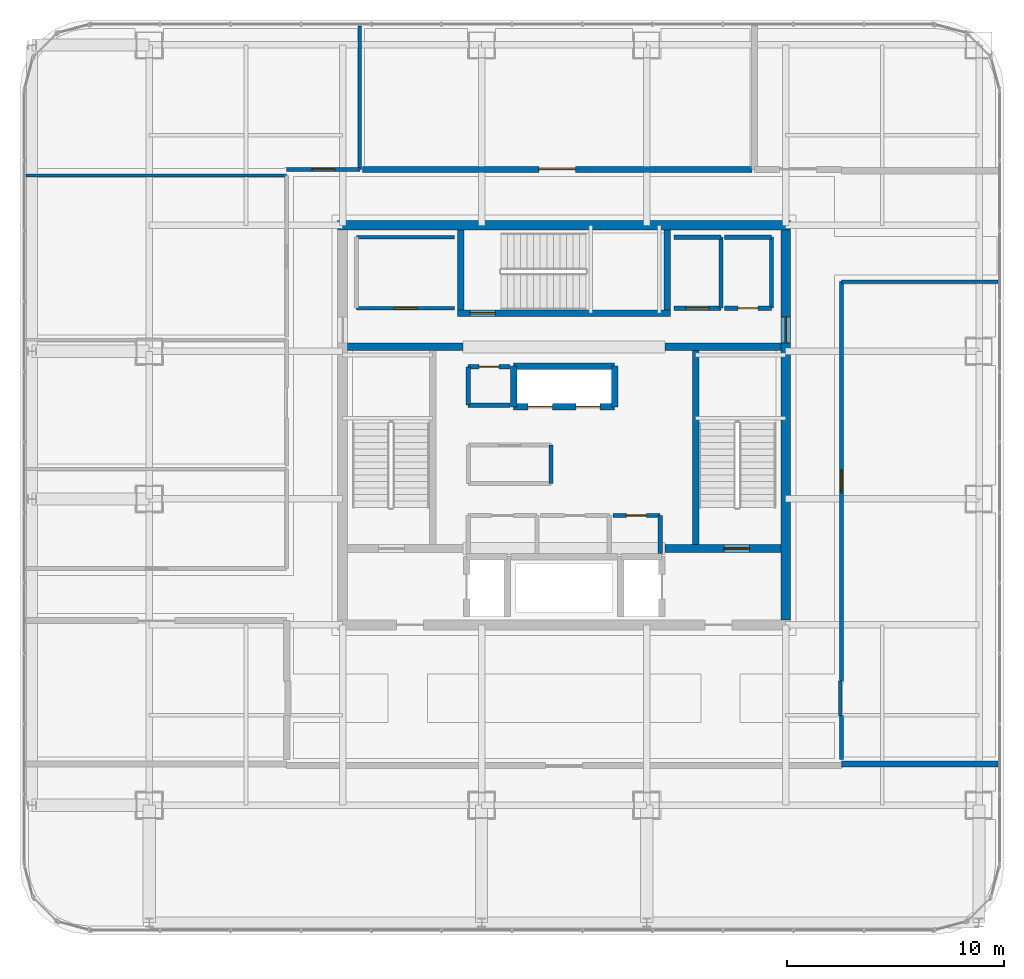
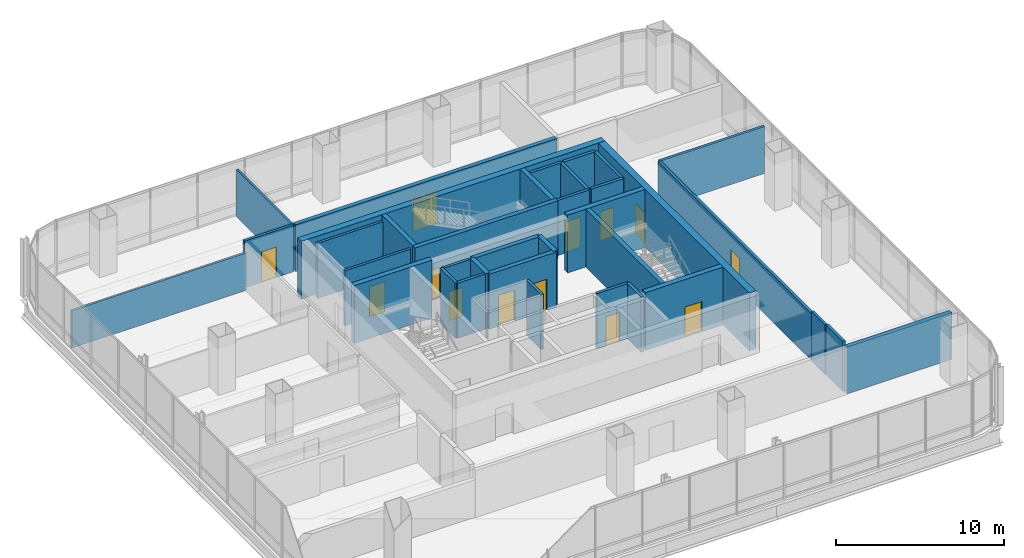
# One storey, part 36 of 42: 36 walls, 13 doors, 13 openings.
"""IFC4 building model written with IfcOpenShell, lengths in metres."""

from ifc_helpers import new_model, si_unit, direction, frame, frame_2d, origin, place, context, subcontext, project, spatial, rectangle, extrude, material, layer, layer_set, type_object, element, fill, save


model = new_model("IFC4")

# Units and contexts
model_context = context("Model", 3, precision=1e-05, world=origin(), true_north=direction((0.0, 1.0)))
body_context = subcontext(model_context, "Body", "Model", "MODEL_VIEW")
ifc_project = project(units=[si_unit("LENGTHUNIT", "METRE"), si_unit("AREAUNIT", "SQUARE_METRE"), si_unit("VOLUMEUNIT", "CUBIC_METRE"), si_unit("PLANEANGLEUNIT", "RADIAN"), si_unit("MASSUNIT", "GRAM", prefix="KILO")], contexts=[model_context])

# Site, building, storey
site_placement = place(None, origin())
site = spatial("IfcSite", under=ifc_project, at=site_placement, CompositionType="ELEMENT")
building_placement = place(site_placement, origin())
building = spatial("IfcBuilding", under=site, at=building_placement, Name="Punatoya Terracotta Tower", CompositionType="ELEMENT")
storey_placement = place(building_placement, frame((0.0, 0.0, 325.800048828125)))
storey = spatial("IfcBuildingStorey", under=building, at=storey_placement, Name="L77", CompositionType="ELEMENT", Elevation=325.800048828125)

# Wall
ifc_material_1 = material(Name="Concrete C40/50", Category="concrete")
ifc_layer_1 = layer(ifc_material_1, 0.280029296875)
ifc_layer_set_1 = layer_set([ifc_layer_1], Name="Concrete C40/50")
wall_type_1 = type_object("IfcWallType", Name="WL-AUD-280", PredefinedType="SOLIDWALL", material=ifc_layer_set_1)
wall_1_placement = place(storey_placement, frame((12.77001953125, -15.610107421875, 0.0), z_axis=(0.0, 0.0, 1.0), x_axis=(1.0, 0.0, 0.0)))
element("IfcWall", 1, at=wall_1_placement, inside=storey, type_object=wall_type_1, Name="L77 Client Dining Salon Partition 26", PredefinedType="SOLIDWALL", context=body_context, shape_type="SweptSolid", body=[
    extrude(rectangle(XDim=7.199951171875, YDim=0.280029296875, at=frame_2d((3.60009765625, 0.0))), origin(), (0.0, 0.0, 1.0), 3.39404296875),
])

# Wall, opening, door
wall_2_placement = place(storey_placement, frame((8.652099609375, 11.77001953125, 0.0), z_axis=(0.0, 0.0, 1.0), x_axis=(-1.0, 0.0, 0.0)))
wall_2 = element("IfcWall", 2, at=wall_2_placement, inside=storey, type_object=wall_type_1, Name="L77 Open-Plan Terrace Refreshment Lounge Partition 47", PredefinedType="SOLIDWALL", context=body_context, shape_type="SweptSolid", body=[
    extrude(rectangle(XDim=17.93701171875, YDim=0.280029296875, at=frame_2d((8.968505859375, 0.0))), origin(), (0.0, 0.0, 1.0), 3.39404296875),
])
opening_1_placement = place(wall_2_placement, frame((8.118408203125, 0.0, 0.0)))
opening_1 = element("IfcOpeningElement", 3, at=opening_1_placement, cuts=wall_2, Name="Opening FD-D1", PredefinedType="OPENING", context=body_context, shape_type="SweptSolid", body=[
    extrude(rectangle(XDim=1.699951171875, YDim=2.300048828125, at=frame_2d((0.85009765625, 1.14990234375))), frame((0.0, 0.14990234375, 0.0), z_axis=(0.0, -1.0, 0.0), x_axis=(1.0, 0.0, 0.0)), (0.0, 0.0, 1.0), 0.300048828125),
])
ifc_material_2 = material(Name="Timber Teak Veneer Fire Leaf", Category="wood")
door_type_1 = type_object("IfcDoorType", Name="DR-DIN-1700", OperationType="NOTDEFINED", PredefinedType="DOOR", material=ifc_material_2)
door_1_placement = place(opening_1_placement, origin())
door_1 = element("IfcDoor", 4, at=door_1_placement, inside=storey, type_object=door_type_1, Name="L77 Open-Plan Terrace Refreshment Lounge Fire Door", OperationType="DOUBLE_DOOR_SINGLE_SWING", OverallHeight=2.300048828125, OverallWidth=1.699951171875, PredefinedType="DOOR", context=body_context, shape_type="SweptSolid", body=[
    extrude(rectangle(XDim=1.699951171875, YDim=2.300048828125, at=frame_2d((0.85009765625, 1.14990234375))), frame((0.0, 0.02490234375, 0.0), z_axis=(0.0, -1.0, 0.0), x_axis=(1.0, 0.0, 0.0)), (0.0, 0.0, 1.0), 0.050048828125),
])
fill(opening_1, door_1)

# Wall
ifc_material_3 = material(Name="Concrete C50/60", Category="concrete")
ifc_layer_2 = layer(ifc_material_3, 0.449951171875)
ifc_layer_set_2 = layer_set([ifc_layer_2], Name="Concrete C50/60")
wall_type_2 = type_object("IfcWallType", Name="WL-COR-450", PredefinedType="SHEAR", material=ifc_layer_set_2)
wall_3_placement = place(storey_placement, frame((-10.425048828125, 9.199951171875, 0.0), z_axis=(0.0, 0.0, 1.0), x_axis=(1.0, 0.0, 0.0)))
element("IfcWall", 5, at=wall_3_placement, inside=storey, type_object=wall_type_2, Name="L77 Core Shear Wall N", PredefinedType="SHEAR", context=body_context, shape_type="SweptSolid", body=[
    extrude(rectangle(XDim=20.85009765625, YDim=0.449951171875, at=frame_2d((10.425048828125, 0.0))), origin(), (0.0, 0.0, 1.0), 4.199951171875),
])

# Wall, opening, door
wall_4_placement = place(storey_placement, frame((10.199951171875, 8.97509765625, 0.0), z_axis=(0.0, 0.0, 1.0), x_axis=(0.0, -1.0, 0.0)))
wall_4 = element("IfcWall", 6, at=wall_4_placement, inside=storey, type_object=wall_type_2, Name="L77 Core Shear Wall E", PredefinedType="SHEAR", context=body_context, shape_type="SweptSolid", body=[
    extrude(rectangle(XDim=17.9501953125, YDim=0.449951171875, at=frame_2d((8.97509765625, 0.0))), origin(), (0.0, 0.0, 1.0), 4.199951171875),
])
opening_2_placement = place(wall_4_placement, frame((4.0048828125, 0.0, 0.0)))
opening_2 = element("IfcOpeningElement", 7, at=opening_2_placement, cuts=wall_4, Name="Opening SD-01", PredefinedType="OPENING", context=body_context, shape_type="SweptSolid", body=[
    extrude(rectangle(XDim=1.179931640625, YDim=2.199951171875, at=frame_2d((0.58984375, 1.10009765625))), frame((0.0, 0.23486328125, 0.0), z_axis=(0.0, -1.0, 0.0), x_axis=(1.0, 0.0, 0.0)), (0.0, 0.0, 1.0), 0.469970703125),
])
ifc_material_4 = material(Name="Galvanised Steel Pressurized Stair Fire Door", Category="steel")
door_type_2 = type_object("IfcDoorType", Name="DR-STR-1180", OperationType="NOTDEFINED", PredefinedType="DOOR", material=ifc_material_4)
door_2_placement = place(opening_2_placement, origin())
door_2 = element("IfcDoor", 8, at=door_2_placement, inside=storey, type_object=door_type_2, Name="L77 Central Lift Lobby East Fire Door", OperationType="SINGLE_SWING_RIGHT", OverallHeight=2.199951171875, OverallWidth=1.179931640625, PredefinedType="DOOR", context=body_context, shape_type="SweptSolid", body=[
    extrude(rectangle(XDim=1.179931640625, YDim=2.199951171875, at=frame_2d((0.58984375, 1.10009765625))), frame((0.0, 0.02490234375, 0.0), z_axis=(0.0, -1.0, 0.0), x_axis=(1.0, 0.0, 0.0)), (0.0, 0.0, 1.0), 0.050048828125),
])
fill(opening_2, door_2)

# Walls
ifc_material_5 = material(Name="Gypsum Fireboard + Steel Stud", Category="steel")
ifc_layer_3 = layer(ifc_material_5, 0.179931640625)
ifc_layer_set_3 = layer_set([ifc_layer_3], Name="Gypsum Fireboard + Steel Stud")
wall_type_3 = type_object("IfcWallType", Name="WL-CORR-180", PredefinedType="PARTITIONING", material=ifc_layer_set_3)
wall_5_placement = place(storey_placement, frame((-0.60009765625, -2.679931640625, 0.0), z_axis=(0.0, 0.0, 1.0), x_axis=(0.0, 1.0, 0.0)))
element("IfcWall", 9, at=wall_5_placement, inside=storey, type_object=wall_type_3, Name="L77 West Core Archive Office Partition 08", PredefinedType="PARTITIONING", context=body_context, shape_type="SweptSolid", body=[
    extrude(rectangle(XDim=1.760009765625, YDim=0.179931640625, at=frame_2d((0.8798828125, 0.0))), origin(), (0.0, 0.0, 1.0), 4.0),
])
wall_6_placement = place(storey_placement, frame((-5.050048828125, 8.64990234375, 0.0), z_axis=(0.0, 0.0, 1.0), x_axis=(-1.0, 0.0, 0.0)))
element("IfcWall", 10, at=wall_6_placement, inside=storey, type_object=wall_type_3, Name="L77 West Core Records Office Partition 15", PredefinedType="PARTITIONING", context=body_context, shape_type="SweptSolid", body=[
    extrude(rectangle(XDim=4.5, YDim=0.179931640625, at=frame_2d((2.25, 0.0))), origin(), (0.0, 0.0, 1.0), 4.0),
])

# Wall, opening, door
wall_7_placement = place(storey_placement, frame((-9.550048828125, 5.3798828125, 0.0), z_axis=(0.0, 0.0, 1.0), x_axis=(1.0, 0.0, 0.0)))
wall_7 = element("IfcWall", 11, at=wall_7_placement, inside=storey, type_object=wall_type_3, Name="L77 West Core Records Office Partition 17", PredefinedType="PARTITIONING", context=body_context, shape_type="SweptSolid", body=[
    extrude(rectangle(XDim=4.5, YDim=0.179931640625, at=frame_2d((2.25, 0.0))), origin(), (0.0, 0.0, 1.0), 4.0),
])
opening_3_placement = place(wall_7_placement, frame((1.72509765625, 0.0, 0.0)))
opening_3 = element("IfcOpeningElement", 12, at=opening_3_placement, cuts=wall_7, Name="Opening OD-01", PredefinedType="OPENING", context=body_context, shape_type="SweptSolid", body=[
    extrude(rectangle(XDim=1.050048828125, YDim=2.199951171875, at=frame_2d((0.52490234375, 1.10009765625))), frame((0.0, 0.099853515625, 0.0), z_axis=(0.0, -1.0, 0.0), x_axis=(1.0, 0.0, 0.0)), (0.0, 0.0, 1.0), 0.199951171875),
])
ifc_material_6 = material(Name="Bengal Teak Solid-Core Leaf")
door_type_3 = type_object("IfcDoorType", Name="DR-OFF-1050", OperationType="NOTDEFINED", PredefinedType="DOOR", material=ifc_material_6)
door_3_placement = place(opening_3_placement, origin())
door_3 = element("IfcDoor", 13, at=door_3_placement, inside=storey, type_object=door_type_3, Name="L77 West Records Office Door", OperationType="SINGLE_SWING_RIGHT", OverallHeight=2.199951171875, OverallWidth=1.050048828125, PredefinedType="DOOR", context=body_context, shape_type="SweptSolid", body=[
    extrude(rectangle(XDim=1.050048828125, YDim=2.199951171875, at=frame_2d((0.52490234375, 1.10009765625))), frame((0.0, 0.02490234375, 0.0), z_axis=(0.0, -1.0, 0.0), x_axis=(1.0, 0.0, 0.0)), (0.0, 0.0, 1.0), 0.050048828125),
])
fill(opening_3, door_3)

wall_8_placement = place(storey_placement, frame((12.77001953125, -11.77001953125, 0.0), z_axis=(0.0, 0.0, 1.0), x_axis=(0.0, 1.0, 0.0)))
wall_8 = element("IfcWall", 14, at=wall_8_placement, inside=storey, type_object=wall_type_3, Name="L77 Catering Tea Pantry Partition 32", PredefinedType="PARTITIONING", context=body_context, shape_type="SweptSolid", body=[
    extrude(rectangle(XDim=18.3701171875, YDim=0.179931640625, at=frame_2d((9.18505859375, 0.0))), origin(), (0.0, 0.0, 1.0), 3.39404296875),
])
opening_4_placement = place(wall_8_placement, frame((8.659912109375, 0.0, 0.0)))
opening_4 = element("IfcOpeningElement", 15, at=opening_4_placement, cuts=wall_8, Name="Opening OD-01", PredefinedType="OPENING", context=body_context, shape_type="SweptSolid", body=[
    extrude(rectangle(XDim=1.050048828125, YDim=2.199951171875, at=frame_2d((0.52490234375, 1.10009765625))), frame((0.0, 0.099853515625, 0.0), z_axis=(0.0, -1.0, 0.0), x_axis=(1.0, 0.0, 0.0)), (0.0, 0.0, 1.0), 0.199951171875),
])
door_4_placement = place(opening_4_placement, origin())
door_4 = element("IfcDoor", 16, at=door_4_placement, inside=storey, type_object=door_type_3, Name="L77 Catering Tea Pantry Door", OperationType="SINGLE_SWING_LEFT", OverallHeight=2.199951171875, OverallWidth=1.050048828125, PredefinedType="DOOR", context=body_context, shape_type="SweptSolid", body=[
    extrude(rectangle(XDim=1.050048828125, YDim=2.199951171875, at=frame_2d((0.52490234375, 1.10009765625))), frame((0.0, 0.02490234375, 0.0), z_axis=(0.0, -1.0, 0.0), x_axis=(1.0, 0.0, 0.0)), (0.0, 0.0, 1.0), 0.050048828125),
])
fill(opening_4, door_4)

# Walls
wall_9_placement = place(storey_placement, frame((12.77001953125, 6.60009765625, 0.0), z_axis=(0.0, 0.0, 1.0), x_axis=(1.0, 0.0, 0.0)))
element("IfcWall", 17, at=wall_9_placement, inside=storey, type_object=wall_type_3, Name="L77 Catering Tea Pantry Partition 33", PredefinedType="PARTITIONING", context=body_context, shape_type="SweptSolid", body=[
    extrude(rectangle(XDim=7.199951171875, YDim=0.179931640625, at=frame_2d((3.60009765625, 0.0))), origin(), (0.0, 0.0, 1.0), 3.39404296875),
])
wall_10_placement = place(storey_placement, frame((12.77001953125, -15.389892578125, 0.0), z_axis=(0.0, 0.0, 1.0), x_axis=(0.0, 1.0, 0.0)))
element("IfcWall", 18, at=wall_10_placement, inside=storey, type_object=wall_type_3, Name="L77 Catering Tea Pantry Partition 34", PredefinedType="PARTITIONING", context=body_context, shape_type="SweptSolid", body=[
    extrude(rectangle(XDim=2.010009765625, YDim=0.179931640625, at=frame_2d((1.0048828125, 0.0))), origin(), (0.0, 0.0, 1.0), 3.634033203125),
])

# Wall, opening, door
wall_11_placement = place(storey_placement, frame((-9.405029296875, 11.77001953125, 0.0), z_axis=(0.0, 0.0, 1.0), x_axis=(-1.0, 0.0, 0.0)))
wall_11 = element("IfcWall", 19, at=wall_11_placement, inside=storey, type_object=wall_type_3, Name="L77 Open-Plan Barista Espresso Pantry Partition 43", PredefinedType="PARTITIONING", context=body_context, shape_type="SweptSolid", body=[
    extrude(rectangle(XDim=3.364990234375, YDim=0.179931640625, at=frame_2d((1.6826171875, 0.0))), origin(), (0.0, 0.0, 1.0), 3.39404296875),
])
opening_5_placement = place(wall_11_placement, frame((1.157470703125, 0.0, 0.0)))
opening_5 = element("IfcOpeningElement", 20, at=opening_5_placement, cuts=wall_11, Name="Opening OD-01", PredefinedType="OPENING", context=body_context, shape_type="SweptSolid", body=[
    extrude(rectangle(XDim=1.050048828125, YDim=2.199951171875, at=frame_2d((0.52490234375, 1.10009765625))), frame((0.0, 0.099853515625, 0.0), z_axis=(0.0, -1.0, 0.0), x_axis=(1.0, 0.0, 0.0)), (0.0, 0.0, 1.0), 0.199951171875),
])
door_5_placement = place(opening_5_placement, origin())
door_5 = element("IfcDoor", 21, at=door_5_placement, inside=storey, type_object=door_type_3, Name="L77 Open-Plan Barista Espresso Pantry Door", OperationType="SINGLE_SWING_LEFT", OverallHeight=2.199951171875, OverallWidth=1.050048828125, PredefinedType="DOOR", context=body_context, shape_type="SweptSolid", body=[
    extrude(rectangle(XDim=1.050048828125, YDim=2.199951171875, at=frame_2d((0.52490234375, 1.10009765625))), frame((0.0, 0.02490234375, 0.0), z_axis=(0.0, -1.0, 0.0), x_axis=(1.0, 0.0, 0.0)), (0.0, 0.0, 1.0), 0.050048828125),
])
fill(opening_5, door_5)

# Wall
ifc_layer_4 = layer(ifc_material_1, 0.199951171875)
ifc_layer_set_4 = layer_set([ifc_layer_4], Name="Concrete C40/50")
wall_type_4 = type_object("IfcWallType", Name="WL-INT-200", PredefinedType="SOLIDWALL", material=ifc_layer_set_4)
wall_12_placement = place(storey_placement, frame((4.419921875, -5.89990234375, 0.0), z_axis=(0.0, 0.0, 1.0), x_axis=(0.0, 1.0, 0.0)))
element("IfcWall", 22, at=wall_12_placement, inside=storey, type_object=wall_type_4, Name="L77 Core Electrical Switchgear Room Partition 06", PredefinedType="SOLIDWALL", context=body_context, shape_type="SweptSolid", body=[
    extrude(rectangle(XDim=1.739990234375, YDim=0.199951171875, at=frame_2d((0.8701171875, 0.0))), origin(), (0.0, 0.0, 1.0), 4.0),
])

# Wall, opening, door
wall_13_placement = place(storey_placement, frame((4.419921875, -4.159912109375, 0.0), z_axis=(0.0, 0.0, 1.0), x_axis=(-1.0, 0.0, 0.0)))
wall_13 = element("IfcWall", 23, at=wall_13_placement, inside=storey, type_object=wall_type_4, Name="L77 Core Electrical Switchgear Room Partition 07", PredefinedType="SOLIDWALL", context=body_context, shape_type="SweptSolid", body=[
    extrude(rectangle(XDim=2.179931640625, YDim=0.199951171875, at=frame_2d((1.08984375, 0.0))), origin(), (0.0, 0.0, 1.0), 4.0),
])
opening_6_placement = place(wall_13_placement, frame((0.6298828125, 0.0, 0.0)))
opening_6 = element("IfcOpeningElement", 24, at=opening_6_placement, cuts=wall_13, Name="Opening FD-R1", PredefinedType="OPENING", context=body_context, shape_type="SweptSolid", body=[
    extrude(rectangle(XDim=0.919921875, YDim=2.10009765625, at=frame_2d((0.4599609375, 1.050048828125))), frame((0.0, 0.10986328125, 0.0), z_axis=(0.0, -1.0, 0.0), x_axis=(1.0, 0.0, 0.0)), (0.0, 0.0, 1.0), 0.219970703125),
])
ifc_material_7 = material(Name="Galvanised Steel Riser Fire Access Door", Category="steel")
door_type_4 = type_object("IfcDoorType", Name="DR-RSR-920", OperationType="NOTDEFINED", PredefinedType="DOOR", material=ifc_material_7)
door_6_placement = place(opening_6_placement, origin())
door_6 = element("IfcDoor", 25, at=door_6_placement, inside=storey, type_object=door_type_4, Name="L77 Core Electrical Switchgear Room Fire Door", OperationType="SINGLE_SWING_LEFT", OverallHeight=2.10009765625, OverallWidth=0.919921875, PredefinedType="DOOR", context=body_context, shape_type="SweptSolid", body=[
    extrude(rectangle(XDim=0.919921875, YDim=2.10009765625, at=frame_2d((0.4599609375, 1.050048828125))), frame((0.0, 0.02490234375, 0.0), z_axis=(0.0, -1.0, 0.0), x_axis=(1.0, 0.0, 0.0)), (0.0, 0.0, 1.0), 0.050048828125),
])
fill(opening_6, door_6)

wall_14_placement = place(storey_placement, frame((-2.5, 2.679931640625, 0.0), z_axis=(0.0, 0.0, 1.0), x_axis=(-1.0, 0.0, 0.0)))
wall_14 = element("IfcWall", 26, at=wall_14_placement, inside=storey, type_object=wall_type_4, Name="L77 Core Security Equipment Closet Partition 12", PredefinedType="SOLIDWALL", context=body_context, shape_type="SweptSolid", body=[
    extrude(rectangle(XDim=1.919921875, YDim=0.199951171875, at=frame_2d((0.9599609375, 0.0))), origin(), (0.0, 0.0, 1.0), 4.0),
])
opening_7_placement = place(wall_14_placement, frame((0.5, 0.0, 0.0)))
opening_7 = element("IfcOpeningElement", 27, at=opening_7_placement, cuts=wall_14, Name="Opening FD-R1", PredefinedType="OPENING", context=body_context, shape_type="SweptSolid", body=[
    extrude(rectangle(XDim=0.919921875, YDim=2.10009765625, at=frame_2d((0.4599609375, 1.050048828125))), frame((0.0, 0.10986328125, 0.0), z_axis=(0.0, -1.0, 0.0), x_axis=(1.0, 0.0, 0.0)), (0.0, 0.0, 1.0), 0.219970703125),
])
door_7_placement = place(opening_7_placement, origin())
door_7 = element("IfcDoor", 28, at=door_7_placement, inside=storey, type_object=door_type_4, Name="L77 Core Security Equipment Closet Fire Door", OperationType="SINGLE_SWING_LEFT", OverallHeight=2.10009765625, OverallWidth=0.919921875, PredefinedType="DOOR", context=body_context, shape_type="SweptSolid", body=[
    extrude(rectangle(XDim=0.919921875, YDim=2.10009765625, at=frame_2d((0.4599609375, 1.050048828125))), frame((0.0, 0.02490234375, 0.0), z_axis=(0.0, -1.0, 0.0), x_axis=(1.0, 0.0, 0.0)), (0.0, 0.0, 1.0), 0.050048828125),
])
fill(opening_7, door_7)

# Walls
wall_15_placement = place(storey_placement, frame((-4.419921875, 2.679931640625, 0.0), z_axis=(0.0, 0.0, 1.0), x_axis=(0.0, -1.0, 0.0)))
element("IfcWall", 29, at=wall_15_placement, inside=storey, type_object=wall_type_4, Name="L77 Core Security Equipment Closet Partition 13", PredefinedType="SOLIDWALL", context=body_context, shape_type="SweptSolid", body=[
    extrude(rectangle(XDim=1.760009765625, YDim=0.199951171875, at=frame_2d((0.8798828125, 0.0))), origin(), (0.0, 0.0, 1.0), 4.0),
])
wall_16_placement = place(storey_placement, frame((-4.419921875, 0.919921875, 0.0), z_axis=(0.0, 0.0, 1.0), x_axis=(1.0, 0.0, 0.0)))
element("IfcWall", 30, at=wall_16_placement, inside=storey, type_object=wall_type_4, Name="L77 Core Security Equipment Closet Partition 14", PredefinedType="SOLIDWALL", context=body_context, shape_type="SweptSolid", body=[
    extrude(rectangle(XDim=1.919921875, YDim=0.199951171875, at=frame_2d((0.9599609375, 0.0))), origin(), (0.0, 0.0, 1.0), 4.0),
])
wall_17_placement = place(storey_placement, frame((7.219970703125, 5.3798828125, 0.0), z_axis=(0.0, 0.0, 1.0), x_axis=(0.0, 1.0, 0.0)))
element("IfcWall", 31, at=wall_17_placement, inside=storey, type_object=wall_type_4, Name="L77 East Core Pantry Partition 18", PredefinedType="SOLIDWALL", context=body_context, shape_type="SweptSolid", body=[
    extrude(rectangle(XDim=3.27001953125, YDim=0.199951171875, at=frame_2d((1.635009765625, 0.0))), origin(), (0.0, 0.0, 1.0), 4.0),
])
wall_18_placement = place(storey_placement, frame((7.219970703125, 8.64990234375, 0.0), z_axis=(0.0, 0.0, 1.0), x_axis=(-1.0, 0.0, 0.0)))
element("IfcWall", 32, at=wall_18_placement, inside=storey, type_object=wall_type_4, Name="L77 East Core Pantry Partition 19", PredefinedType="SOLIDWALL", context=body_context, shape_type="SweptSolid", body=[
    extrude(rectangle(XDim=2.169921875, YDim=0.199951171875, at=frame_2d((1.0849609375, 0.0))), origin(), (0.0, 0.0, 1.0), 4.0),
])

# Wall, opening, door
wall_19_placement = place(storey_placement, frame((5.050048828125, 5.3798828125, 0.0), z_axis=(0.0, 0.0, 1.0), x_axis=(1.0, 0.0, 0.0)))
wall_19 = element("IfcWall", 33, at=wall_19_placement, inside=storey, type_object=wall_type_4, Name="L77 East Core Pantry Partition 20", PredefinedType="SOLIDWALL", context=body_context, shape_type="SweptSolid", body=[
    extrude(rectangle(XDim=2.169921875, YDim=0.199951171875, at=frame_2d((1.0849609375, 0.0))), origin(), (0.0, 0.0, 1.0), 4.0),
])
opening_8_placement = place(wall_19_placement, frame((0.56005859375, 0.0, 0.0)))
opening_8 = element("IfcOpeningElement", 34, at=opening_8_placement, cuts=wall_19, Name="Opening OD-01", PredefinedType="OPENING", context=body_context, shape_type="SweptSolid", body=[
    extrude(rectangle(XDim=1.050048828125, YDim=2.199951171875, at=frame_2d((0.52490234375, 1.10009765625))), frame((0.0, 0.10986328125, 0.0), z_axis=(0.0, -1.0, 0.0), x_axis=(1.0, 0.0, 0.0)), (0.0, 0.0, 1.0), 0.219970703125),
])
door_8_placement = place(opening_8_placement, origin())
door_8 = element("IfcDoor", 35, at=door_8_placement, inside=storey, type_object=door_type_3, Name="L77 East Pantry Door", OperationType="SINGLE_SWING_LEFT", OverallHeight=2.199951171875, OverallWidth=1.050048828125, PredefinedType="DOOR", context=body_context, shape_type="SweptSolid", body=[
    extrude(rectangle(XDim=1.050048828125, YDim=2.199951171875, at=frame_2d((0.52490234375, 1.10009765625))), frame((0.0, 0.02490234375, 0.0), z_axis=(0.0, -1.0, 0.0), x_axis=(1.0, 0.0, 0.0)), (0.0, 0.0, 1.0), 0.050048828125),
])
fill(opening_8, door_8)

# Walls
wall_20_placement = place(storey_placement, frame((9.550048828125, 5.3798828125, 0.0), z_axis=(0.0, 0.0, 1.0), x_axis=(0.0, 1.0, 0.0)))
element("IfcWall", 36, at=wall_20_placement, inside=storey, type_object=wall_type_4, Name="L77 East Core Store Partition 21", PredefinedType="SOLIDWALL", context=body_context, shape_type="SweptSolid", body=[
    extrude(rectangle(XDim=3.27001953125, YDim=0.199951171875, at=frame_2d((1.635009765625, 0.0))), origin(), (0.0, 0.0, 1.0), 4.0),
])
wall_21_placement = place(storey_placement, frame((9.550048828125, 8.64990234375, 0.0), z_axis=(0.0, 0.0, 1.0), x_axis=(-1.0, 0.0, 0.0)))
element("IfcWall", 37, at=wall_21_placement, inside=storey, type_object=wall_type_4, Name="L77 East Core Store Partition 22", PredefinedType="SOLIDWALL", context=body_context, shape_type="SweptSolid", body=[
    extrude(rectangle(XDim=2.170166015625, YDim=0.199951171875, at=frame_2d((1.0849609375, 0.0))), origin(), (0.0, 0.0, 1.0), 4.0),
])

# Wall, opening, door
wall_22_placement = place(storey_placement, frame((7.3798828125, 5.3798828125, 0.0), z_axis=(0.0, 0.0, 1.0), x_axis=(1.0, 0.0, 0.0)))
wall_22 = element("IfcWall", 38, at=wall_22_placement, inside=storey, type_object=wall_type_4, Name="L77 East Core Store Partition 23", PredefinedType="SOLIDWALL", context=body_context, shape_type="SweptSolid", body=[
    extrude(rectangle(XDim=2.170166015625, YDim=0.199951171875, at=frame_2d((1.0849609375, 0.0))), origin(), (0.0, 0.0, 1.0), 4.0),
])
opening_9_placement = place(wall_22_placement, frame((0.625, 0.0, 0.0)))
opening_9 = element("IfcOpeningElement", 39, at=opening_9_placement, cuts=wall_22, Name="Opening FD-R1", PredefinedType="OPENING", context=body_context, shape_type="SweptSolid", body=[
    extrude(rectangle(XDim=0.919921875, YDim=2.10009765625, at=frame_2d((0.4599609375, 1.050048828125))), frame((0.0, 0.10986328125, 0.0), z_axis=(0.0, -1.0, 0.0), x_axis=(1.0, 0.0, 0.0)), (0.0, 0.0, 1.0), 0.219970703125),
])
door_9_placement = place(opening_9_placement, origin())
door_9 = element("IfcDoor", 40, at=door_9_placement, inside=storey, type_object=door_type_4, Name="L77 East Core Store Fire Door", OperationType="SINGLE_SWING_RIGHT", OverallHeight=2.10009765625, OverallWidth=0.919921875, PredefinedType="DOOR", context=body_context, shape_type="SweptSolid", body=[
    extrude(rectangle(XDim=0.919921875, YDim=2.10009765625, at=frame_2d((0.4599609375, 1.050048828125))), frame((0.0, 0.02490234375, 0.0), z_axis=(0.0, -1.0, 0.0), x_axis=(1.0, 0.0, 0.0)), (0.0, 0.0, 1.0), 0.050048828125),
])
fill(opening_9, door_9)

# Walls
ifc_material_8 = material(Name="Acoustic Gypsum + Steel Stud", Category="steel")
ifc_layer_5 = layer(ifc_material_8, 0.139892578125)
ifc_layer_set_5 = layer_set([ifc_layer_5], Name="Acoustic Gypsum + Steel Stud")
wall_type_5 = type_object("IfcWallType", Name="WL-OFF-140", PredefinedType="PARTITIONING", material=ifc_layer_set_5)
wall_23_placement = place(storey_placement, frame((-24.77001953125, 11.489990234375, 0.0), z_axis=(0.0, 0.0, 1.0), x_axis=(1.0, 0.0, 0.0)))
element("IfcWall", 41, at=wall_23_placement, inside=storey, type_object=wall_type_5, Name="L77 Wellness Relaxation Lounge Partition 40", PredefinedType="PARTITIONING", context=body_context, shape_type="SweptSolid", body=[
    extrude(rectangle(XDim=12.0, YDim=0.139892578125, at=frame_2d((6.0, 0.0))), origin(), (0.0, 0.0, 1.0), 2.7138671875),
])
ifc_layer_6 = layer(ifc_material_1, 0.300048828125)
ifc_layer_set_6 = layer_set([ifc_layer_6], Name="Concrete C40/50")
wall_type_6 = type_object("IfcWallType", Name="WL-SHF-300", PredefinedType="SOLIDWALL", material=ifc_layer_set_6)
wall_24_placement = place(storey_placement, frame((6.050048828125, 3.449951171875, 0.0), z_axis=(0.0, 0.0, 1.0), x_axis=(0.0, -1.0, 0.0)))
element("IfcWall", 42, at=wall_24_placement, inside=storey, type_object=wall_type_6, Name="L77 Structural Stair Shaft Wall SW-ST2-W", PredefinedType="SOLIDWALL", context=body_context, shape_type="SweptSolid", body=[
    extrude(rectangle(XDim=8.949951171875, YDim=0.300048828125, at=frame_2d((4.47509765625, 0.0))), origin(), (0.0, 0.0, 1.0), 4.199951171875),
])
for number, where, z_axis, x_axis, name in (
    (43, (-4.75, 5.300048828125, 0.0), (0.0, 0.0, 1.0), (0.0, 1.0, 0.0), "L77 Structural Stair Shaft Wall SW-ST3-W"),
    (44, (4.75, 8.97509765625, 0.0), (0.0, 0.0, 1.0), (0.0, -1.0, 0.0), "L77 Structural Stair Shaft Wall SW-ST3-E"),
):
    element("IfcWall", number, at=place(storey_placement, frame(where, z_axis=z_axis, x_axis=x_axis)), inside=storey, type_object=wall_type_6, Name=name, PredefinedType="SOLIDWALL", context=body_context, shape_type="SweptSolid", body=[
        extrude(rectangle(XDim=3.675048828125, YDim=0.300048828125, at=frame_2d((1.83740234375, 0.0))), origin(), (0.0, 0.0, 1.0), 4.199951171875),
    ])

# Wall, opening, door
wall_25_placement = place(storey_placement, frame((-4.89990234375, 5.14990234375, 0.0), z_axis=(0.0, 0.0, 1.0), x_axis=(1.0, 0.0, 0.0)))
wall_25 = element("IfcWall", 45, at=wall_25_placement, inside=storey, type_object=wall_type_6, Name="L77 Structural Stair Shaft Wall SW-ST3-S", PredefinedType="SOLIDWALL", context=body_context, shape_type="SweptSolid", body=[
    extrude(rectangle(XDim=9.7998046875, YDim=0.300048828125, at=frame_2d((4.89990234375, 0.0))), origin(), (0.0, 0.0, 1.0), 4.199951171875),
])
opening_10_placement = place(wall_25_placement, frame((0.56005859375, 0.0, 0.0)))
opening_10 = element("IfcOpeningElement", 46, at=opening_10_placement, cuts=wall_25, Name="Opening SD-01", PredefinedType="OPENING", context=body_context, shape_type="SweptSolid", body=[
    extrude(rectangle(XDim=1.179931640625, YDim=2.199951171875, at=frame_2d((0.58984375, 1.10009765625))), frame((0.0, 0.159912109375, 0.0), z_axis=(0.0, -1.0, 0.0), x_axis=(1.0, 0.0, 0.0)), (0.0, 0.0, 1.0), 0.320068359375),
])
door_10_placement = place(opening_10_placement, origin())
door_10 = element("IfcDoor", 47, at=door_10_placement, inside=storey, type_object=door_type_2, Name="L77 Stair ST-3 Core Lobby Fire Door", OperationType="SINGLE_SWING_LEFT", OverallHeight=2.199951171875, OverallWidth=1.179931640625, PredefinedType="DOOR", context=body_context, shape_type="SweptSolid", body=[
    extrude(rectangle(XDim=1.179931640625, YDim=2.199951171875, at=frame_2d((0.58984375, 1.10009765625))), frame((0.0, 0.02490234375, 0.0), z_axis=(0.0, -1.0, 0.0), x_axis=(1.0, 0.0, 0.0)), (0.0, 0.0, 1.0), 0.050048828125),
])
fill(opening_10, door_10)

# Wall, openings, doors
wall_26_placement = place(storey_placement, frame((-2.320068359375, 0.840087890625, 0.0), z_axis=(0.0, 0.0, 1.0), x_axis=(1.0, 0.0, 0.0)))
wall_26 = element("IfcWall", 48, at=wall_26_placement, inside=storey, type_object=wall_type_6, Name="L77 North Lift Bank Front Shaft Wall", PredefinedType="SOLIDWALL", context=body_context, shape_type="SweptSolid", body=[
    extrude(rectangle(XDim=4.64013671875, YDim=0.300048828125, at=frame_2d((2.320068359375, 0.0))), origin(), (0.0, 0.0, 1.0), 4.0),
])
opening_11_placement = place(wall_26_placement, frame((0.659912109375, 0.0, 0.0)))
opening_11 = element("IfcOpeningElement", 49, at=opening_11_placement, cuts=wall_26, Name="Opening LD-02", PredefinedType="OPENING", context=body_context, shape_type="SweptSolid", body=[
    extrude(rectangle(XDim=1.1201171875, YDim=2.25, at=frame_2d((0.56005859375, 1.125))), frame((0.0, 0.159912109375, 0.0), z_axis=(0.0, -1.0, 0.0), x_axis=(1.0, 0.0, 0.0)), (0.0, 0.0, 1.0), 0.320068359375),
])
opening_12_placement = place(wall_26_placement, frame((2.860107421875, 0.0, 0.0)))
opening_12 = element("IfcOpeningElement", 50, at=opening_12_placement, cuts=wall_26, Name="Opening LD-02", PredefinedType="OPENING", context=body_context, shape_type="SweptSolid", body=[
    extrude(rectangle(XDim=1.1201171875, YDim=2.25, at=frame_2d((0.56005859375, 1.125))), frame((0.0, 0.159912109375, 0.0), z_axis=(0.0, -1.0, 0.0), x_axis=(1.0, 0.0, 0.0)), (0.0, 0.0, 1.0), 0.320068359375),
])
ifc_material_9 = material(Name="Stainless Steel Lift Landing Door", Category="steel")
door_type_5 = type_object("IfcDoorType", Name="DR-LND-1120", OperationType="NOTDEFINED", PredefinedType="DOOR", material=ifc_material_9)
door_11_placement = place(opening_11_placement, origin())
door_11 = element("IfcDoor", 51, at=door_11_placement, inside=storey, type_object=door_type_5, Name="L77 Lift PL-E1 Sliding Landing Door", OperationType="DOUBLE_DOOR_SLIDING", OverallHeight=2.25, OverallWidth=1.1201171875, PredefinedType="DOOR", context=body_context, shape_type="SweptSolid", body=[
    extrude(rectangle(XDim=1.1201171875, YDim=2.25, at=frame_2d((0.56005859375, 1.125))), frame((0.0, 0.02490234375, 0.0), z_axis=(0.0, -1.0, 0.0), x_axis=(1.0, 0.0, 0.0)), (0.0, 0.0, 1.0), 0.050048828125),
])
fill(opening_11, door_11)
door_12_placement = place(opening_12_placement, origin())
door_12 = element("IfcDoor", 52, at=door_12_placement, inside=storey, type_object=door_type_5, Name="L77 Lift PL-E2 Sliding Landing Door", OperationType="DOUBLE_DOOR_SLIDING", OverallHeight=2.25, OverallWidth=1.1201171875, PredefinedType="DOOR", context=body_context, shape_type="SweptSolid", body=[
    extrude(rectangle(XDim=1.1201171875, YDim=2.25, at=frame_2d((0.56005859375, 1.125))), frame((0.0, 0.02490234375, 0.0), z_axis=(0.0, -1.0, 0.0), x_axis=(1.0, 0.0, 0.0)), (0.0, 0.0, 1.0), 0.050048828125),
])
fill(opening_12, door_12)

# Walls
wall_27_placement = place(storey_placement, frame((-2.320068359375, 2.719970703125, 0.0), z_axis=(0.0, 0.0, 1.0), x_axis=(1.0, 0.0, 0.0)))
element("IfcWall", 53, at=wall_27_placement, inside=storey, type_object=wall_type_6, Name="L77 North Lift Bank Rear Shaft Wall", PredefinedType="SOLIDWALL", context=body_context, shape_type="SweptSolid", body=[
    extrude(rectangle(XDim=4.64013671875, YDim=0.300048828125, at=frame_2d((2.320068359375, 0.0))), origin(), (0.0, 0.0, 1.0), 4.0),
])
for number, where, z_axis, x_axis, name in (
    (54, (-2.320068359375, 0.840087890625, 0.0), (0.0, 0.0, 1.0), (0.0, 1.0, 0.0), "L77 North Lift Bank West End Wall"),
    (55, (2.320068359375, 0.840087890625, 0.0), (0.0, 0.0, 1.0), (0.0, 1.0, 0.0), "L77 North Lift Bank East End Wall"),
):
    element("IfcWall", number, at=place(storey_placement, frame(where, z_axis=z_axis, x_axis=x_axis)), inside=storey, type_object=wall_type_6, Name=name, PredefinedType="SOLIDWALL", context=body_context, shape_type="SweptSolid", body=[
        extrude(rectangle(XDim=1.8798828125, YDim=0.300048828125, at=frame_2d((0.93994140625, 0.0))), origin(), (0.0, 0.0, 1.0), 4.0),
    ])

# Wall, opening, door
ifc_layer_7 = layer(ifc_material_3, 0.35009765625)
ifc_layer_set_7 = layer_set([ifc_layer_7], Name="Concrete C50/60")
wall_type_7 = type_object("IfcWallType", Name="WL-SHF-350", PredefinedType="SOLIDWALL", material=ifc_layer_set_7)
wall_28_placement = place(storey_placement, frame((4.64990234375, -5.679931640625, 0.0), z_axis=(0.0, 0.0, 1.0), x_axis=(1.0, 0.0, 0.0)))
wall_28 = element("IfcWall", 56, at=wall_28_placement, inside=storey, type_object=wall_type_7, Name="L77 Core Web Wall CSW-R", PredefinedType="SOLIDWALL", context=body_context, shape_type="SweptSolid", body=[
    extrude(rectangle(XDim=5.3251953125, YDim=0.35009765625, at=frame_2d((2.66259765625, 0.0))), origin(), (0.0, 0.0, 1.0), 4.199951171875),
])
opening_13_placement = place(wall_28_placement, frame((2.7099609375, 0.0, 0.0)))
opening_13 = element("IfcOpeningElement", 57, at=opening_13_placement, cuts=wall_28, Name="Opening SD-01", PredefinedType="OPENING", context=body_context, shape_type="SweptSolid", body=[
    extrude(rectangle(XDim=1.179931640625, YDim=2.199951171875, at=frame_2d((0.58984375, 1.10009765625))), frame((0.0, 0.18505859375, 0.0), z_axis=(0.0, -1.0, 0.0), x_axis=(1.0, 0.0, 0.0)), (0.0, 0.0, 1.0), 0.3701171875),
])
door_13_placement = place(opening_13_placement, origin())
door_13 = element("IfcDoor", 58, at=door_13_placement, inside=storey, type_object=door_type_2, Name="L77 Stair ST-2 Smokeproof Lobby Fire Door", OperationType="SINGLE_SWING_RIGHT", OverallHeight=2.199951171875, OverallWidth=1.179931640625, PredefinedType="DOOR", context=body_context, shape_type="SweptSolid", body=[
    extrude(rectangle(XDim=1.179931640625, YDim=2.199951171875, at=frame_2d((0.58984375, 1.10009765625))), frame((0.0, 0.02490234375, 0.0), z_axis=(0.0, -1.0, 0.0), x_axis=(1.0, 0.0, 0.0)), (0.0, 0.0, 1.0), 0.050048828125),
])
fill(opening_13, door_13)

# Walls
for number, where, z_axis, x_axis, name in (
    (59, (-9.97509765625, 3.60009765625, 0.0), (0.0, 0.0, 1.0), (1.0, 0.0, 0.0), "L77 Core Web Wall CNW-L"),
    (60, (4.64990234375, 3.60009765625, 0.0), (0.0, 0.0, 1.0), (1.0, 0.0, 0.0), "L77 Core Web Wall CNW-R"),
):
    element("IfcWall", number, at=place(storey_placement, frame(where, z_axis=z_axis, x_axis=x_axis)), inside=storey, type_object=wall_type_7, Name=name, PredefinedType="SOLIDWALL", context=body_context, shape_type="SweptSolid", body=[
        extrude(rectangle(XDim=5.3251953125, YDim=0.35009765625, at=frame_2d((2.66259765625, 0.0))), origin(), (0.0, 0.0, 1.0), 4.199951171875),
    ])
ifc_material_10 = material(Name="Masonry Blockwork + Ceramic Tile", Category="masonry")
ifc_layer_8 = layer(ifc_material_10, 0.159912109375)
ifc_layer_set_8 = layer_set([ifc_layer_8], Name="Masonry Blockwork + Ceramic Tile")
wall_type_8 = type_object("IfcWallType", Name="WL-WET-160", PredefinedType="PARTITIONING", material=ifc_layer_set_8)
wall_29_placement = place(storey_placement, frame((12.7099609375, -13.3798828125, 0.0), z_axis=(0.0, 0.0, 1.0), x_axis=(0.0, 1.0, 0.0)))
element("IfcWall", 61, at=wall_29_placement, inside=storey, type_object=wall_type_8, Name="L77 Catering Tea Pantry Partition 31", PredefinedType="PARTITIONING", context=body_context, shape_type="SweptSolid", body=[
    extrude(rectangle(XDim=1.60986328125, YDim=0.159912109375, at=frame_2d((0.804931640625, 0.0))), origin(), (0.0, 0.0, 1.0), 3.634033203125),
])
wall_30_placement = place(storey_placement, frame((-9.405029296875, 18.3701171875, 0.0), z_axis=(0.0, 0.0, 1.0), x_axis=(0.0, -1.0, 0.0)))
element("IfcWall", 62, at=wall_30_placement, inside=storey, type_object=wall_type_8, Name="L77 Open-Plan Barista Espresso Pantry Partition 42", PredefinedType="PARTITIONING", context=body_context, shape_type="SweptSolid", body=[
    extrude(rectangle(XDim=6.60009765625, YDim=0.159912109375, at=frame_2d((3.300048828125, 0.0))), origin(), (0.0, 0.0, 1.0), 3.39404296875),
])

save(model, "model.ifc")
